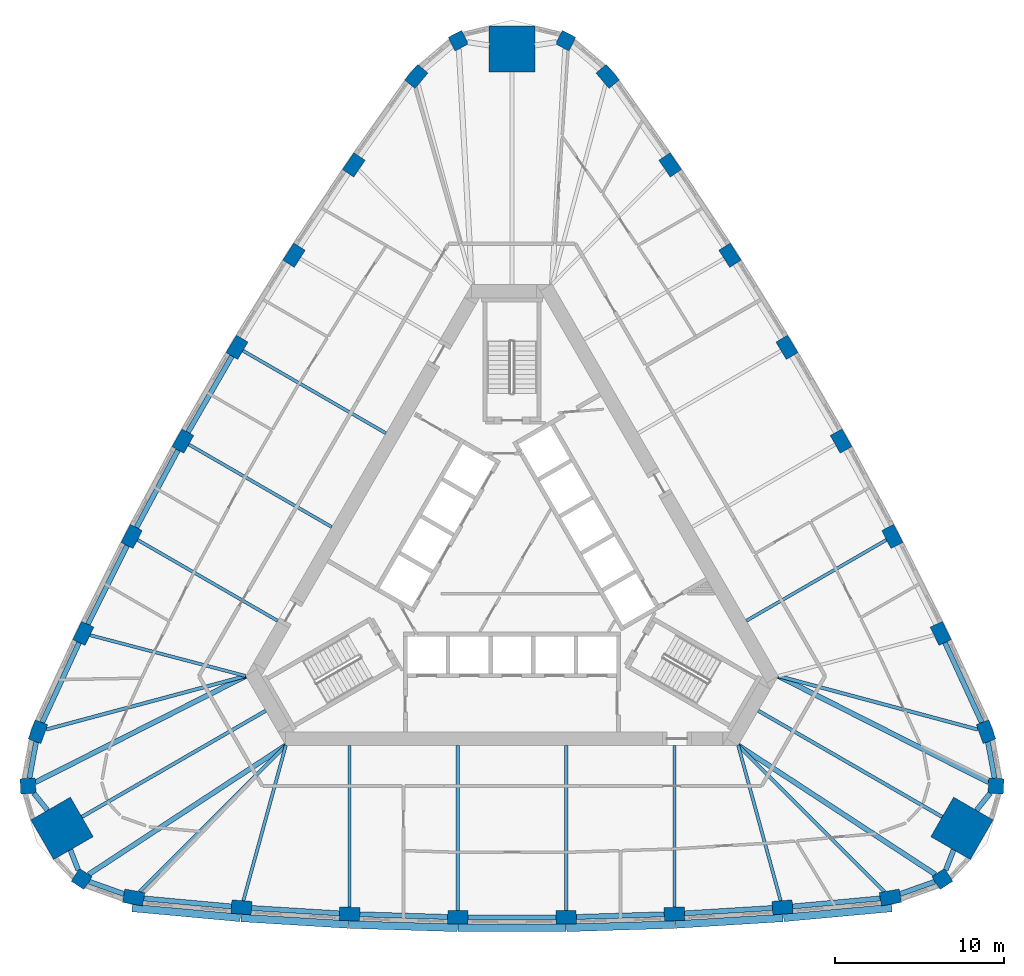
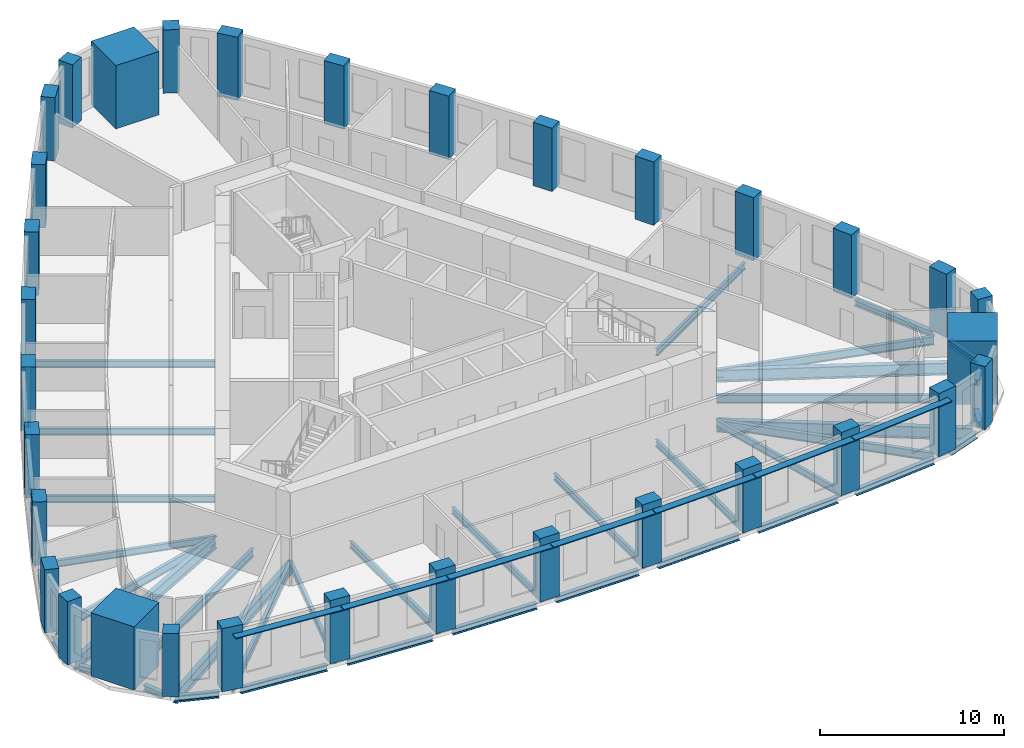
# One storey, part 1 of 11: 41 beams, 33 columns, 7 members.
"""IFC4 building model written with IfcOpenShell, lengths in metres."""

from ifc_helpers import new_model, si_unit, direction, frame, origin, origin_2d, place, context, subcontext, project, spatial, rectangle, i_section, extrude, material, material_profile, profile_set, type_object, element, save


model = new_model("IFC4")

# Units and contexts
model_context = context("Model", 3, precision=1e-05, world=origin(), true_north=direction((0.0, 1.0)))
body_context = subcontext(model_context, "Body", "Model", "MODEL_VIEW")
ifc_project = project(units=[si_unit("LENGTHUNIT", "METRE"), si_unit("AREAUNIT", "SQUARE_METRE"), si_unit("VOLUMEUNIT", "CUBIC_METRE"), si_unit("PLANEANGLEUNIT", "RADIAN"), si_unit("MASSUNIT", "GRAM", prefix="KILO")], contexts=[model_context])

# Site, building, storey
site_placement = place(None, origin())
site = spatial("IfcSite", under=ifc_project, at=site_placement, CompositionType="ELEMENT")
building_placement = place(site_placement, origin())
building = spatial("IfcBuilding", under=site, at=building_placement, Name="Mestral Congress Tower", CompositionType="ELEMENT")
storey_placement = place(building_placement, frame((0.0, 0.0, 166.800048828125)))
storey = spatial("IfcBuildingStorey", under=building, at=storey_placement, Name="L39", CompositionType="ELEMENT", Elevation=166.800048828125)

# Columns
ifc_material_1 = material(Name="Concrete C60/75", Category="concrete")
ifc_material_profile_1 = material_profile(ifc_material_1, rectangle(XDim=1.199951171875, YDim=0.800048828125, at=origin_2d()), Name="RC 1200x800")
ifc_profile_set_1 = profile_set([ifc_material_profile_1], Name="Concrete C60/75")
column_type_1 = type_object("IfcColumnType", Name="Column RC 1200x800 C60/75", PredefinedType="COLUMN", material=ifc_profile_set_1)
for number, where, z_axis, x_axis, name in (
    (1, (-22.357421875, -19.437255859375, 0.0), (0.0, 0.0, 1.0), (0.984571054206, -0.17498525429, 0.0), "COL-L39-C3-S00"),
    (2, (-15.984619140625, -20.0224609375, 0.0), (0.0, 0.0, 1.0), (0.997089725995, -0.076236987842, 0.0), "COL-L39-C3-S01"),
    (3, (-9.5966796875, -20.412841796875, 0.0), (0.0, 0.0, 1.0), (0.998951959915, -0.045770970953, 0.0), "COL-L39-C3-S02"),
    (4, (-3.199951171875, -20.608154296875, 0.0), (0.0, 0.0, 1.0), (0.999883524137, -0.015262311717, 0.0), "COL-L39-C3-S03"),
    (5, (3.199951171875, -20.608154296875, 0.0), (0.0, 0.0, 1.0), (0.999883524137, 0.015262311717, 0.0), "COL-L39-C3-S04"),
    (6, (9.5966796875, -20.412841796875, 0.0), (0.0, 0.0, 1.0), (0.998951959915, 0.045770970953, 0.0), "COL-L39-C3-S05"),
    (7, (15.984619140625, -20.0224609375, 0.0), (0.0, 0.0, 1.0), (0.997089725995, 0.076236987842, 0.0), "COL-L39-C3-S06"),
    (8, (22.357421875, -19.437255859375, 0.0), (0.0, 0.0, 1.0), (0.984571054206, 0.17498525429, 0.0), "COL-L39-C3-S07"),
    (9, (28.01171875, -9.6435546875, 0.0), (0.0, 0.0, 1.0), (-0.340743851601, 0.940156171918, 0.0), "COL-L39-C3-E00"),
    (10, (25.332275390625, -3.831787109375, 0.0), (0.0, 0.0, 1.0), (-0.432521694818, 0.901623526485, 0.0), "COL-L39-C3-E01"),
    (11, (22.476318359375, 1.8955078125, 0.0), (0.0, 0.0, 1.0), (-0.459837156356, 0.888003259923, 0.0), "COL-L39-C3-E02"),
    (12, (19.447265625, 7.532958984375, 0.0), (0.0, 0.0, 1.0), (-0.486724212401, 0.873555688587, 0.0), "COL-L39-C3-E03"),
    (13, (16.247314453125, 13.0751953125, 0.0), (0.0, 0.0, 1.0), (-0.513159311736, 0.85829337687, 0.0), "COL-L39-C3-E04"),
    (14, (12.8798828125, 18.517333984375, 0.0), (0.0, 0.0, 1.0), (-0.539114803559, 0.84223228897, 0.0), "COL-L39-C3-E05"),
    (15, (9.34765625, 23.854248046875, 0.0), (0.0, 0.0, 1.0), (-0.564568031177, 0.825386538643, 0.0), "COL-L39-C3-E06"),
    (16, (5.654296875, 29.080810546875, 0.0), (0.0, 0.0, 1.0), (-0.643827202606, 0.765170917629, 0.0), "COL-L39-C3-E07"),
    (17, (-5.654296875, 29.080810546875, 0.0), (0.0, 0.0, 1.0), (-0.643827202606, -0.765170917629, 0.0), "COL-L39-C3-W00"),
    (18, (-9.34765625, 23.854248046875, 0.0), (0.0, 0.0, 1.0), (-0.564568031177, -0.825386538643, 0.0), "COL-L39-C3-W01"),
    (19, (-12.8798828125, 18.517333984375, 0.0), (0.0, 0.0, 1.0), (-0.539114803559, -0.84223228897, 0.0), "COL-L39-C3-W02"),
    (20, (-16.247314453125, 13.0751953125, 0.0), (0.0, 0.0, 1.0), (-0.513159311736, -0.85829337687, 0.0), "COL-L39-C3-W03"),
    (21, (-19.447265625, 7.532958984375, 0.0), (0.0, 0.0, 1.0), (-0.486724212401, -0.873555688587, 0.0), "COL-L39-C3-W04"),
    (22, (-22.476318359375, 1.8955078125, 0.0), (0.0, 0.0, 1.0), (-0.459837156356, -0.888003259923, 0.0), "COL-L39-C3-W05"),
    (23, (-25.332275390625, -3.831787109375, 0.0), (0.0, 0.0, 1.0), (-0.432521694818, -0.901623526485, 0.0), "COL-L39-C3-W06"),
    (24, (-28.01171875, -9.6435546875, 0.0), (0.0, 0.0, 1.0), (-0.340743851601, -0.940156171918, 0.0), "COL-L39-C3-W07"),
):
    element("IfcColumn", number, at=place(storey_placement, frame(where, z_axis=z_axis, x_axis=x_axis)), inside=storey, type_object=column_type_1, Name=name, PredefinedType="COLUMN", context=body_context, shape_type="SweptSolid", body=[
        extrude(rectangle(XDim=1.199951171875, YDim=0.800048828125, at=origin_2d()), origin(), (0.0, 0.0, 1.0), 4.199951171875),
    ])
ifc_material_profile_2 = material_profile(ifc_material_1, rectangle(XDim=0.89990234375, YDim=0.89990234375, at=origin_2d()), Name="RC 900x900")
ifc_profile_set_2 = profile_set([ifc_material_profile_2], Name="Concrete C60/75")
column_type_2 = type_object("IfcColumnType", Name="Column RC 900x900 C60/75", PredefinedType="COLUMN", material=ifc_profile_set_2)
for number, where, z_axis, x_axis, name in (
    (25, (25.4296875, -18.34375, 0.0), (0.0, 0.0, 1.0), (0.838094050847, 0.545525766518, 0.0), "COL-L39-C3-SE1"),
    (26, (28.60107421875, -12.850830078125, 0.0), (0.0, 0.0, 1.0), (0.0533921468, 0.998573622053, 0.0), "COL-L39-C3-SE3"),
    (27, (3.17138671875, 31.194580078125, 0.0), (0.0, 0.0, 1.0), (-0.891486197647, 0.453047855535, 0.0), "COL-L39-C3-N1"),
    (28, (-3.17138671875, 31.194580078125, 0.0), (0.0, 0.0, 1.0), (-0.891486197647, -0.453047855535, 0.0), "COL-L39-C3-N3"),
    (29, (-28.60107421875, -12.850830078125, 0.0), (0.0, 0.0, 1.0), (0.0533921468, -0.998573622053, 0.0), "COL-L39-C3-SW1"),
    (30, (-25.4296875, -18.34375, 0.0), (0.0, 0.0, 1.0), (0.838094050847, -0.545525766518, 0.0), "COL-L39-C3-SW3"),
):
    element("IfcColumn", number, at=place(storey_placement, frame(where, z_axis=z_axis, x_axis=x_axis)), inside=storey, type_object=column_type_2, Name=name, PredefinedType="COLUMN", context=body_context, shape_type="SweptSolid", body=[
        extrude(rectangle(XDim=0.89990234375, YDim=0.89990234375, at=origin_2d()), origin(), (0.0, 0.0, 1.0), 4.199951171875),
    ])
ifc_material_2 = material(Name="Concrete C70/85", Category="concrete")
ifc_material_profile_3 = material_profile(ifc_material_2, rectangle(XDim=2.699951171875, YDim=2.699951171875, at=origin_2d()), Name="RC 2700x2700")
ifc_profile_set_3 = profile_set([ifc_material_profile_3], Name="Concrete C70/85")
column_type_3 = type_object("IfcColumnType", Name="Mega column RC 2700x2700 C70/85", PredefinedType="COLUMN", material=ifc_profile_set_3)
for number, where, z_axis, x_axis, name in (
    (31, (26.590576171875, -15.35205078125, 0.0), (0.0, 0.0, 1.0), (0.866025403784, -0.5, 0.0), "COL-L39-PY3-SE"),
    (32, (0.0, 30.7041015625, 0.0), (0.0, 0.0, 1.0), (0.0, 1.0, 0.0), "COL-L39-PY3-N"),
    (33, (-26.590576171875, -15.35205078125, 0.0), (0.0, 0.0, 1.0), (-0.866025403784, -0.5, 0.0), "COL-L39-PY3-SW"),
):
    element("IfcColumn", number, at=place(storey_placement, frame(where, z_axis=z_axis, x_axis=x_axis)), inside=storey, type_object=column_type_3, Name=name, PredefinedType="COLUMN", context=body_context, shape_type="SweptSolid", body=[
        extrude(rectangle(XDim=2.699951171875, YDim=2.699951171875, at=origin_2d()), origin(), (0.0, 0.0, 1.0), 4.199951171875),
    ])

# Members
ifc_material_3 = material(Name="Glazed ceramic", Category="masonry")
ifc_material_profile_4 = material_profile(ifc_material_3, rectangle(XDim=0.449951171875, YDim=0.06005859375, at=origin_2d()), Name="Ceramic blade 450 x 60")
ifc_profile_set_4 = profile_set([ifc_material_profile_4], Name="Glazed ceramic")
member_type = type_object("IfcMemberType", Name="Facade sunshade blade 450 x 60", PredefinedType="USERDEFINED", material=ifc_profile_set_4)
member_1_placement = place(storey_placement, frame((-22.451171875, -20.05615234375, 3.679931640625), z_axis=(0.995809919347, -0.091447277326, 0.0), x_axis=(0.091447277326, 0.995809919347, 0.0)))
element("IfcMember", 34, at=member_1_placement, inside=storey, type_object=member_type, Name="Sunshade F0-00", ObjectType="SUNSHADE", PredefinedType="USERDEFINED", context=body_context, shape_type="SweptSolid", body=[
    extrude(rectangle(XDim=0.449951171875, YDim=0.06005859375, at=origin_2d()), origin(), (0.0, 0.0, 1.0), 6.42333984375),
])
member_2_placement = place(storey_placement, frame((-16.009521484375, -20.647216796875, 3.679931640625), z_axis=(0.998138940399, -0.06098078107, 0.0), x_axis=(0.06098078107, 0.998138940399, 0.0)))
element("IfcMember", 35, at=member_2_placement, inside=storey, type_object=member_type, Name="Sunshade F0-01", ObjectType="SUNSHADE", PredefinedType="USERDEFINED", context=body_context, shape_type="SweptSolid", body=[
    extrude(rectangle(XDim=0.449951171875, YDim=0.06005859375, at=origin_2d()), origin(), (0.0, 0.0, 1.0), 6.373779296875),
])
for number, where, z_axis, x_axis, name in (
    (36, (-9.6025390625, -21.0380859375, 3.679931640625), (0.999535044007, -0.03049091343, 0.0), (0.03049091343, 0.999535044007, 0.0), "Sunshade F0-02"),
    (37, (-3.186767578125, -21.233154296875, 3.679931640625), (1.0, 0.0, 0.0), (0.0, 1.0, 0.0), "Sunshade F0-03"),
    (38, (3.23193359375, -21.232421875, 3.679931640625), (0.999535044007, 0.03049091343, 0.0), (-0.03049091343, 0.999535044007, 0.0), "Sunshade F0-04"),
):
    element("IfcMember", number, at=place(storey_placement, frame(where, z_axis=z_axis, x_axis=x_axis)), inside=storey, type_object=member_type, Name=name, ObjectType="SUNSHADE", PredefinedType="USERDEFINED", context=body_context, shape_type="SweptSolid", body=[
        extrude(rectangle(XDim=0.449951171875, YDim=0.06005859375, at=origin_2d()), origin(), (0.0, 0.0, 1.0), 6.37353515625),
    ])
member_3_placement = place(storey_placement, frame((9.647705078125, -21.035888671875, 3.679931640625), z_axis=(0.998138940399, 0.06098078107, 0.0), x_axis=(-0.06098078107, 0.998138940399, 0.0)))
element("IfcMember", 39, at=member_3_placement, inside=storey, type_object=member_type, Name="Sunshade F0-05", ObjectType="SUNSHADE", PredefinedType="USERDEFINED", context=body_context, shape_type="SweptSolid", body=[
    extrude(rectangle(XDim=0.449951171875, YDim=0.06005859375, at=origin_2d()), origin(), (0.0, 0.0, 1.0), 6.373779296875),
])
member_4_placement = place(storey_placement, frame((16.0546875, -20.6435546875, 3.679931640625), z_axis=(0.995809919347, 0.091447277326, 0.0), x_axis=(-0.091447277326, 0.995809919347, 0.0)))
element("IfcMember", 40, at=member_4_placement, inside=storey, type_object=member_type, Name="Sunshade F0-06", ObjectType="SUNSHADE", PredefinedType="USERDEFINED", context=body_context, shape_type="SweptSolid", body=[
    extrude(rectangle(XDim=0.449951171875, YDim=0.06005859375, at=origin_2d()), origin(), (0.0, 0.0, 1.0), 6.42333984375),
])

# Beams
ifc_material_4 = material(Name="Steel S355", Category="steel")
ifc_material_profile_5 = material_profile(ifc_material_4, i_section(OverallWidth=0.300048828125, OverallDepth=0.800048828125, WebThickness=0.017578125, FlangeThickness=0.032958984375, FilletRadius=0.030029296875, at=origin_2d()), Name="HEB 800")
ifc_profile_set_5 = profile_set([ifc_material_profile_5], Name="Steel S355")
beam_type_1 = type_object("IfcBeamType", Name="Floor beam HEB 800 S355", PredefinedType="BEAM", material=ifc_profile_set_5)
beam_1_placement = place(storey_placement, frame((25.018310546875, -18.07470703125, -0.650146484375), z_axis=(-0.836780237492, 0.547538888247, 0.0), x_axis=(-0.547538888247, -0.836780237492, 0.0)))
element("IfcBeam", 41, at=beam_1_placement, inside=storey, type_object=beam_type_1, Name="BM-L39-RB3-SE1", PredefinedType="BEAM", context=body_context, shape_type="SweptSolid", body=[
    extrude(i_section(OverallWidth=0.300048828125, OverallDepth=0.800048828125, WebThickness=0.017578125, FlangeThickness=0.032958984375, FilletRadius=0.030029296875, at=origin_2d()), origin(), (0.0, 0.0, 1.0), 13.925537109375),
])
for number, where, z_axis, x_axis, name in (
    (42, (28.162109375, -12.629150390625, -0.650146484375), (-0.892568118133, 0.450912579656, 0.0), (-0.450912579656, -0.892568118133, 0.0), "BM-L39-RB3-SE3"),
    (43, (-28.162109375, -12.629150390625, -0.650146484375), (0.892568118133, 0.450912579656, 0.0), (-0.450912579656, 0.892568118133, 0.0), "BM-L39-RB3-SW1"),
):
    element("IfcBeam", number, at=place(storey_placement, frame(where, z_axis=z_axis, x_axis=x_axis)), inside=storey, type_object=beam_type_1, Name=name, PredefinedType="BEAM", context=body_context, shape_type="SweptSolid", body=[
        extrude(i_section(OverallWidth=0.300048828125, OverallDepth=0.800048828125, WebThickness=0.017578125, FlangeThickness=0.032958984375, FilletRadius=0.030029296875, at=origin_2d()), origin(), (0.0, 0.0, 1.0), 13.92529296875),
    ])
beam_2_placement = place(storey_placement, frame((-25.018310546875, -18.07470703125, -0.650146484375), z_axis=(0.836780237492, 0.547538888247, 0.0), x_axis=(-0.547538888247, 0.836780237492, 0.0)))
element("IfcBeam", 44, at=beam_2_placement, inside=storey, type_object=beam_type_1, Name="BM-L39-RB3-SW3", PredefinedType="BEAM", context=body_context, shape_type="SweptSolid", body=[
    extrude(i_section(OverallWidth=0.300048828125, OverallDepth=0.800048828125, WebThickness=0.017578125, FlangeThickness=0.032958984375, FilletRadius=0.030029296875, at=origin_2d()), origin(), (0.0, 0.0, 1.0), 13.925537109375),
])
ifc_material_profile_6 = material_profile(ifc_material_4, i_section(OverallWidth=0.18994140625, OverallDepth=0.449951171875, WebThickness=0.009521484375, FlangeThickness=0.0146484375, FilletRadius=0.02099609375, at=origin_2d()), Name="IPE 450")
ifc_profile_set_6 = profile_set([ifc_material_profile_6], Name="Steel S355")
beam_type_2 = type_object("IfcBeamType", Name="Floor beam IPE 450 S355", PredefinedType="BEAM", material=ifc_profile_set_6)
beam_3_placement = place(storey_placement, frame((-15.876953125, -19.62939453125, -0.47509765625), z_axis=(0.263874900873, 0.964556912105, 0.0), x_axis=(-0.964556912105, 0.263874900873, 0.0)))
element("IfcBeam", 45, at=beam_3_placement, inside=storey, type_object=beam_type_2, Name="BM-L39-RB3-S01", PredefinedType="BEAM", context=body_context, shape_type="SweptSolid", body=[
    extrude(i_section(OverallWidth=0.18994140625, OverallDepth=0.449951171875, WebThickness=0.009521484375, FlangeThickness=0.0146484375, FilletRadius=0.02099609375, at=origin_2d()), origin(), (0.0, 0.0, 1.0), 9.516845703125),
])
beam_4_placement = place(storey_placement, frame((-9.5966796875, -20.012451171875, -0.47509765625), z_axis=(0.0, 1.0, 0.0), x_axis=(-1.0, 0.0, 0.0)))
element("IfcBeam", 46, at=beam_4_placement, inside=storey, type_object=beam_type_2, Name="BM-L39-RB3-S02", PredefinedType="BEAM", context=body_context, shape_type="SweptSolid", body=[
    extrude(i_section(OverallWidth=0.18994140625, OverallDepth=0.449951171875, WebThickness=0.009521484375, FlangeThickness=0.0146484375, FilletRadius=0.02099609375, at=origin_2d()), origin(), (0.0, 0.0, 1.0), 9.5625),
])
for number, where, z_axis, x_axis, name in (
    (47, (-3.199951171875, -20.208251953125, -0.47509765625), (0.0, 1.0, 0.0), (-1.0, 0.0, 0.0), "BM-L39-RB3-S03"),
    (48, (3.199951171875, -20.208251953125, -0.47509765625), (0.0, 1.0, 0.0), (-1.0, 0.0, 0.0), "BM-L39-RB3-S04"),
):
    element("IfcBeam", number, at=place(storey_placement, frame(where, z_axis=z_axis, x_axis=x_axis)), inside=storey, type_object=beam_type_2, Name=name, PredefinedType="BEAM", context=body_context, shape_type="SweptSolid", body=[
        extrude(i_section(OverallWidth=0.18994140625, OverallDepth=0.449951171875, WebThickness=0.009521484375, FlangeThickness=0.0146484375, FilletRadius=0.02099609375, at=origin_2d()), origin(), (0.0, 0.0, 1.0), 9.75830078125),
    ])
beam_5_placement = place(storey_placement, frame((9.5966796875, -20.012451171875, -0.47509765625), z_axis=(0.0, 1.0, 0.0), x_axis=(-1.0, 0.0, 0.0)))
element("IfcBeam", 49, at=beam_5_placement, inside=storey, type_object=beam_type_2, Name="BM-L39-RB3-S05", PredefinedType="BEAM", context=body_context, shape_type="SweptSolid", body=[
    extrude(i_section(OverallWidth=0.18994140625, OverallDepth=0.449951171875, WebThickness=0.009521484375, FlangeThickness=0.0146484375, FilletRadius=0.02099609375, at=origin_2d()), origin(), (0.0, 0.0, 1.0), 9.5625),
])
beam_6_placement = place(storey_placement, frame((15.876953125, -19.62939453125, -0.47509765625), z_axis=(-0.263874900873, 0.964556912105, 0.0), x_axis=(-0.964556912105, -0.263874900873, 0.0)))
element("IfcBeam", 50, at=beam_6_placement, inside=storey, type_object=beam_type_2, Name="BM-L39-RB3-S06", PredefinedType="BEAM", context=body_context, shape_type="SweptSolid", body=[
    extrude(i_section(OverallWidth=0.18994140625, OverallDepth=0.449951171875, WebThickness=0.009521484375, FlangeThickness=0.0146484375, FilletRadius=0.02099609375, at=origin_2d()), origin(), (0.0, 0.0, 1.0), 9.516845703125),
])
beam_7_placement = place(storey_placement, frame((22.129638671875, 1.6953125, -0.47509765625), z_axis=(-0.866022320763, -0.500005339912, 0.0), x_axis=(0.500005339912, -0.866022320763, 0.0)))
element("IfcBeam", 51, at=beam_7_placement, inside=storey, type_object=beam_type_2, Name="BM-L39-RB3-E02", PredefinedType="BEAM", context=body_context, shape_type="SweptSolid", body=[
    extrude(i_section(OverallWidth=0.18994140625, OverallDepth=0.449951171875, WebThickness=0.009521484375, FlangeThickness=0.0146484375, FilletRadius=0.02099609375, at=origin_2d()), origin(), (0.0, 0.0, 1.0), 9.5625),
])
beam_8_placement = place(storey_placement, frame((-15.90087890625, 12.875244140625, -0.47509765625), z_axis=(0.866025182435, -0.500000383388, 0.0), x_axis=(0.500000383388, 0.866025182435, 0.0)))
element("IfcBeam", 52, at=beam_8_placement, inside=storey, type_object=beam_type_2, Name="BM-L39-RB3-W03", PredefinedType="BEAM", context=body_context, shape_type="SweptSolid", body=[
    extrude(i_section(OverallWidth=0.18994140625, OverallDepth=0.449951171875, WebThickness=0.009521484375, FlangeThickness=0.0146484375, FilletRadius=0.02099609375, at=origin_2d()), origin(), (0.0, 0.0, 1.0), 9.75830078125),
])
beam_9_placement = place(storey_placement, frame((-19.100830078125, 7.332763671875, -0.47509765625), z_axis=(0.866036015824, -0.499981618958, 0.0), x_axis=(0.499981618958, 0.866036015824, 0.0)))
element("IfcBeam", 53, at=beam_9_placement, inside=storey, type_object=beam_type_2, Name="BM-L39-RB3-W04", PredefinedType="BEAM", context=body_context, shape_type="SweptSolid", body=[
    extrude(i_section(OverallWidth=0.18994140625, OverallDepth=0.449951171875, WebThickness=0.009521484375, FlangeThickness=0.0146484375, FilletRadius=0.02099609375, at=origin_2d()), origin(), (0.0, 0.0, 1.0), 9.758056640625),
])
beam_10_placement = place(storey_placement, frame((-22.129638671875, 1.6953125, -0.47509765625), z_axis=(0.866022320763, -0.500005339912, 0.0), x_axis=(0.500005339912, 0.866022320763, 0.0)))
element("IfcBeam", 54, at=beam_10_placement, inside=storey, type_object=beam_type_2, Name="BM-L39-RB3-W05", PredefinedType="BEAM", context=body_context, shape_type="SweptSolid", body=[
    extrude(i_section(OverallWidth=0.18994140625, OverallDepth=0.449951171875, WebThickness=0.009521484375, FlangeThickness=0.0146484375, FilletRadius=0.02099609375, at=origin_2d()), origin(), (0.0, 0.0, 1.0), 9.5625),
])
beam_11_placement = place(storey_placement, frame((-24.938232421875, -3.93505859375, -0.47509765625), z_axis=(0.967265999603, -0.253764627187, 0.0), x_axis=(0.253764627187, 0.967265999603, 0.0)))
element("IfcBeam", 55, at=beam_11_placement, inside=storey, type_object=beam_type_2, Name="BM-L39-RB3-W06", PredefinedType="BEAM", context=body_context, shape_type="SweptSolid", body=[
    extrude(i_section(OverallWidth=0.18994140625, OverallDepth=0.449951171875, WebThickness=0.009521484375, FlangeThickness=0.0146484375, FilletRadius=0.02099609375, at=origin_2d()), origin(), (0.0, 0.0, 1.0), 9.516845703125),
])
ifc_material_profile_7 = material_profile(ifc_material_4, i_section(OverallWidth=0.2099609375, OverallDepth=0.550048828125, WebThickness=0.010986328125, FlangeThickness=0.01708984375, FilletRadius=0.02392578125, at=origin_2d()), Name="IPE 550")
ifc_profile_set_7 = profile_set([ifc_material_profile_7], Name="Steel S355")
beam_type_3 = type_object("IfcBeamType", Name="Floor beam IPE 550 S355", PredefinedType="BEAM", material=ifc_profile_set_7)
for number, where, z_axis, x_axis, name in (
    (56, (-22.01220703125, -19.09228515625, -0.525146484375), (0.707276510369, 0.706937011254, 0.0), (-0.706937011254, 0.707276510369, 0.0), "BM-L39-RB3-S00"),
    (57, (22.01220703125, -19.09228515625, -0.525146484375), (-0.707276510369, 0.706937011254, 0.0), (-0.706937011254, -0.707276510369, 0.0), "BM-L39-RB3-S07"),
):
    element("IfcBeam", number, at=place(storey_placement, frame(where, z_axis=z_axis, x_axis=x_axis)), inside=storey, type_object=beam_type_3, Name=name, PredefinedType="BEAM", context=body_context, shape_type="SweptSolid", body=[
        extrude(i_section(OverallWidth=0.2099609375, OverallDepth=0.550048828125, WebThickness=0.010986328125, FlangeThickness=0.01708984375, FilletRadius=0.02392578125, at=origin_2d()), origin(), (0.0, 0.0, 1.0), 12.22509765625),
    ])
beam_12_placement = place(storey_placement, frame((25.42138671875, -14.677001953125, -0.525146484375), z_axis=(-0.866034999462, 0.49998337943, 0.0), x_axis=(-0.49998337943, -0.866034999462, 0.0)))
element("IfcBeam", 58, at=beam_12_placement, inside=storey, type_object=beam_type_3, Name="BM-L39-RB3-SE", PredefinedType="BEAM", context=body_context, shape_type="SweptSolid", body=[
    extrude(i_section(OverallWidth=0.2099609375, OverallDepth=0.550048828125, WebThickness=0.010986328125, FlangeThickness=0.01708984375, FilletRadius=0.02392578125, at=origin_2d()), origin(), (0.0, 0.0, 1.0), 12.55419921875),
])
for number, where, z_axis, x_axis, name in (
    (59, (27.54052734375, -9.51708984375, -0.525146484375), (-0.965861364708, 0.259059499276, 0.0), (-0.259059499276, -0.965861364708, 0.0), "BM-L39-RB3-E00"),
    (60, (-27.54052734375, -9.51708984375, -0.525146484375), (0.965861364708, 0.259059499276, 0.0), (-0.259059499276, 0.965861364708, 0.0), "BM-L39-RB3-W07"),
):
    element("IfcBeam", number, at=place(storey_placement, frame(where, z_axis=z_axis, x_axis=x_axis)), inside=storey, type_object=beam_type_3, Name=name, PredefinedType="BEAM", context=body_context, shape_type="SweptSolid", body=[
        extrude(i_section(OverallWidth=0.2099609375, OverallDepth=0.550048828125, WebThickness=0.010986328125, FlangeThickness=0.01708984375, FilletRadius=0.02392578125, at=origin_2d()), origin(), (0.0, 0.0, 1.0), 12.224853515625),
    ])
beam_13_placement = place(storey_placement, frame((-25.42138671875, -14.677001953125, -0.525146484375), z_axis=(0.866034999462, 0.49998337943, 0.0), x_axis=(-0.49998337943, 0.866034999462, 0.0)))
element("IfcBeam", 61, at=beam_13_placement, inside=storey, type_object=beam_type_3, Name="BM-L39-RB3-SW", PredefinedType="BEAM", context=body_context, shape_type="SweptSolid", body=[
    extrude(i_section(OverallWidth=0.2099609375, OverallDepth=0.550048828125, WebThickness=0.010986328125, FlangeThickness=0.01708984375, FilletRadius=0.02392578125, at=origin_2d()), origin(), (0.0, 0.0, 1.0), 12.55419921875),
])
ifc_material_profile_8 = material_profile(ifc_material_4, i_section(OverallWidth=0.300048828125, OverallDepth=0.389892578125, WebThickness=0.010986328125, FlangeThickness=0.01904296875, FilletRadius=0.027099609375, at=origin_2d()), Name="HEA 400")
ifc_profile_set_8 = profile_set([ifc_material_profile_8], Name="Steel S355")
beam_type_4 = type_object("IfcBeamType", Name="Spandrel beam HEA 400 S355", PredefinedType="BEAM", material=ifc_profile_set_8)
beam_14_placement = place(storey_placement, frame((-21.7578125, -19.4921875, -0.445068359375), z_axis=(0.995809233617, -0.091454744238, 0.0), x_axis=(0.091454744238, 0.995809233617, 0.0)))
element("IfcBeam", 62, at=beam_14_placement, inside=storey, type_object=beam_type_4, Name="SP-L39-SB3-S00", PredefinedType="BEAM", context=body_context, shape_type="SweptSolid", body=[
    extrude(i_section(OverallWidth=0.300048828125, OverallDepth=0.389892578125, WebThickness=0.010986328125, FlangeThickness=0.01904296875, FilletRadius=0.027099609375, at=origin_2d()), origin(), (0.0, 0.0, 1.0), 5.197509765625),
])
beam_15_placement = place(storey_placement, frame((-15.385498046875, -20.05908203125, -0.445068359375), z_axis=(0.998138215809, -0.060992640057, 0.0), x_axis=(0.060992640057, 0.998138215809, 0.0)))
element("IfcBeam", 63, at=beam_15_placement, inside=storey, type_object=beam_type_4, Name="SP-L39-SB3-S01", PredefinedType="BEAM", context=body_context, shape_type="SweptSolid", body=[
    extrude(i_section(OverallWidth=0.300048828125, OverallDepth=0.389892578125, WebThickness=0.010986328125, FlangeThickness=0.01904296875, FilletRadius=0.027099609375, at=origin_2d()), origin(), (0.0, 0.0, 1.0), 5.19970703125),
])
beam_16_placement = place(storey_placement, frame((-8.996826171875, -20.43115234375, -0.445068359375), z_axis=(0.999534130554, -0.030520842996, 0.0), x_axis=(0.030520842996, 0.999534130554, 0.0)))
element("IfcBeam", 64, at=beam_16_placement, inside=storey, type_object=beam_type_4, Name="SP-L39-SB3-S02", PredefinedType="BEAM", context=body_context, shape_type="SweptSolid", body=[
    extrude(i_section(OverallWidth=0.300048828125, OverallDepth=0.389892578125, WebThickness=0.010986328125, FlangeThickness=0.01904296875, FilletRadius=0.027099609375, at=origin_2d()), origin(), (0.0, 0.0, 1.0), 5.199462890625),
])
beam_17_placement = place(storey_placement, frame((-2.599853515625, -20.608154296875, -0.445068359375), z_axis=(1.0, 0.0, 0.0), x_axis=(0.0, 1.0, 0.0)))
element("IfcBeam", 65, at=beam_17_placement, inside=storey, type_object=beam_type_4, Name="SP-L39-SB3-S03", PredefinedType="BEAM", context=body_context, shape_type="SweptSolid", body=[
    extrude(i_section(OverallWidth=0.300048828125, OverallDepth=0.389892578125, WebThickness=0.010986328125, FlangeThickness=0.01904296875, FilletRadius=0.027099609375, at=origin_2d()), origin(), (0.0, 0.0, 1.0), 5.19970703125),
])
beam_18_placement = place(storey_placement, frame((3.7998046875, -20.58984375, -0.445068359375), z_axis=(0.999534130554, 0.030520842996, 0.0), x_axis=(-0.030520842996, 0.999534130554, 0.0)))
element("IfcBeam", 66, at=beam_18_placement, inside=storey, type_object=beam_type_4, Name="SP-L39-SB3-S04", PredefinedType="BEAM", context=body_context, shape_type="SweptSolid", body=[
    extrude(i_section(OverallWidth=0.300048828125, OverallDepth=0.389892578125, WebThickness=0.010986328125, FlangeThickness=0.01904296875, FilletRadius=0.027099609375, at=origin_2d()), origin(), (0.0, 0.0, 1.0), 5.199462890625),
])
beam_19_placement = place(storey_placement, frame((10.195556640625, -20.376220703125, -0.445068359375), z_axis=(0.998138215809, 0.060992640057, 0.0), x_axis=(-0.060992640057, 0.998138215809, 0.0)))
element("IfcBeam", 67, at=beam_19_placement, inside=storey, type_object=beam_type_4, Name="SP-L39-SB3-S05", PredefinedType="BEAM", context=body_context, shape_type="SweptSolid", body=[
    extrude(i_section(OverallWidth=0.300048828125, OverallDepth=0.389892578125, WebThickness=0.010986328125, FlangeThickness=0.01904296875, FilletRadius=0.027099609375, at=origin_2d()), origin(), (0.0, 0.0, 1.0), 5.19970703125),
])
beam_20_placement = place(storey_placement, frame((16.58203125, -19.967529296875, -0.445068359375), z_axis=(0.995809233617, 0.091454744238, 0.0), x_axis=(-0.091454744238, 0.995809233617, 0.0)))
element("IfcBeam", 68, at=beam_20_placement, inside=storey, type_object=beam_type_4, Name="SP-L39-SB3-S06", PredefinedType="BEAM", context=body_context, shape_type="SweptSolid", body=[
    extrude(i_section(OverallWidth=0.300048828125, OverallDepth=0.389892578125, WebThickness=0.010986328125, FlangeThickness=0.01904296875, FilletRadius=0.027099609375, at=origin_2d()), origin(), (0.0, 0.0, 1.0), 5.197509765625),
])
beam_21_placement = place(storey_placement, frame((22.9306640625, -19.233154296875, -0.445068359375), z_axis=(0.942124718118, 0.33526260679, 0.0), x_axis=(-0.33526260679, 0.942124718118, 0.0)))
element("IfcBeam", 69, at=beam_21_placement, inside=storey, type_object=beam_type_4, Name="SP-L39-SB3-S07", PredefinedType="BEAM", context=body_context, shape_type="SweptSolid", body=[
    extrude(i_section(OverallWidth=0.300048828125, OverallDepth=0.389892578125, WebThickness=0.010986328125, FlangeThickness=0.01904296875, FilletRadius=0.027099609375, at=origin_2d()), origin(), (0.0, 0.0, 1.0), 2.189697265625),
])
for number, where, z_axis, x_axis, name in (
    (70, (25.630126953125, -17.826904296875, -0.445068359375), (0.361897583915, 0.932217860136, 0.0), (-0.932217860136, 0.361897583915, 0.0), "SP-L39-SB3-SE1"),
    (71, (27.446533203125, -14.287353515625, -0.445068359375), (0.626403443736, 0.779499022242, 0.0), (-0.779499022242, 0.626403443736, 0.0), "SP-L39-SB3-SE"),
):
    element("IfcBeam", number, at=place(storey_placement, frame(where, z_axis=z_axis, x_axis=x_axis)), inside=storey, type_object=beam_type_4, Name=name, PredefinedType="BEAM", context=body_context, shape_type="SweptSolid", body=[
        extrude(i_section(OverallWidth=0.300048828125, OverallDepth=0.389892578125, WebThickness=0.010986328125, FlangeThickness=0.01904296875, FilletRadius=0.027099609375, at=origin_2d()), origin(), (0.0, 0.0, 1.0), 1.28857421875),
    ])
beam_22_placement = place(storey_placement, frame((28.517333984375, -12.395751953125, -0.445068359375), z_axis=(-0.18061190167, 0.983554442304, 0.0), x_axis=(-0.983554442304, -0.18061190167, 0.0)))
element("IfcBeam", 72, at=beam_22_placement, inside=storey, type_object=beam_type_4, Name="SP-L39-SB3-SE3", PredefinedType="BEAM", context=body_context, shape_type="SweptSolid", body=[
    extrude(i_section(OverallWidth=0.300048828125, OverallDepth=0.389892578125, WebThickness=0.010986328125, FlangeThickness=0.01904296875, FilletRadius=0.027099609375, at=origin_2d()), origin(), (0.0, 0.0, 1.0), 2.18994140625),
])
beam_23_placement = place(storey_placement, frame((27.759765625, -9.0966796875, -0.445068359375), z_axis=(-0.418712613032, 0.908118796022, 0.0), x_axis=(-0.908118796022, -0.418712613032, 0.0)))
element("IfcBeam", 73, at=beam_23_placement, inside=storey, type_object=beam_type_4, Name="SP-L39-SB3-E00", PredefinedType="BEAM", context=body_context, shape_type="SweptSolid", body=[
    extrude(i_section(OverallWidth=0.300048828125, OverallDepth=0.389892578125, WebThickness=0.010986328125, FlangeThickness=0.01904296875, FilletRadius=0.027099609375, at=origin_2d()), origin(), (0.0, 0.0, 1.0), 5.197509765625),
])
for number, where, z_axis, x_axis, name in (
    (74, (-16.54736328125, 12.5556640625, -0.445068359375), (-0.499992051641, -0.866029992723, 0.0), (0.866029992723, -0.499992051641, 0.0), "SP-L39-SB3-W03"),
    (75, (-19.731201171875, 7.00439453125, -0.445068359375), (-0.473332458078, -0.880883865291, 0.0), (0.880883865291, -0.473332458078, 0.0), "SP-L39-SB3-W04"),
):
    element("IfcBeam", number, at=place(storey_placement, frame(where, z_axis=z_axis, x_axis=x_axis)), inside=storey, type_object=beam_type_4, Name=name, PredefinedType="BEAM", context=body_context, shape_type="SweptSolid", body=[
        extrude(i_section(OverallWidth=0.300048828125, OverallDepth=0.389892578125, WebThickness=0.010986328125, FlangeThickness=0.01904296875, FilletRadius=0.027099609375, at=origin_2d()), origin(), (0.0, 0.0, 1.0), 5.19970703125),
    ])
beam_24_placement = place(storey_placement, frame((-22.744140625, 1.3583984375, -0.445068359375), z_axis=(-0.446255467462, -0.894905613884, 0.0), x_axis=(0.894905613884, -0.446255467462, 0.0)))
element("IfcBeam", 76, at=beam_24_placement, inside=storey, type_object=beam_type_4, Name="SP-L39-SB3-W05", PredefinedType="BEAM", context=body_context, shape_type="SweptSolid", body=[
    extrude(i_section(OverallWidth=0.300048828125, OverallDepth=0.389892578125, WebThickness=0.010986328125, FlangeThickness=0.01904296875, FilletRadius=0.027099609375, at=origin_2d()), origin(), (0.0, 0.0, 1.0), 5.199462890625),
])
beam_25_placement = place(storey_placement, frame((-25.58349609375, -4.376708984375, -0.445068359375), z_axis=(-0.418712613032, -0.908118796022, 0.0), x_axis=(0.908118796022, -0.418712613032, 0.0)))
element("IfcBeam", 77, at=beam_25_placement, inside=storey, type_object=beam_type_4, Name="SP-L39-SB3-W06", PredefinedType="BEAM", context=body_context, shape_type="SweptSolid", body=[
    extrude(i_section(OverallWidth=0.300048828125, OverallDepth=0.389892578125, WebThickness=0.010986328125, FlangeThickness=0.01904296875, FilletRadius=0.027099609375, at=origin_2d()), origin(), (0.0, 0.0, 1.0), 5.197509765625),
])
beam_26_placement = place(storey_placement, frame((-28.121826171875, -10.241943359375, -0.445068359375), z_axis=(-0.18061190167, -0.983554442304, 0.0), x_axis=(0.983554442304, -0.18061190167, 0.0)))
element("IfcBeam", 78, at=beam_26_placement, inside=storey, type_object=beam_type_4, Name="SP-L39-SB3-W07", PredefinedType="BEAM", context=body_context, shape_type="SweptSolid", body=[
    extrude(i_section(OverallWidth=0.300048828125, OverallDepth=0.389892578125, WebThickness=0.010986328125, FlangeThickness=0.01904296875, FilletRadius=0.027099609375, at=origin_2d()), origin(), (0.0, 0.0, 1.0), 2.18994140625),
])
for number, where, z_axis, x_axis, name in (
    (79, (-28.253662109375, -13.282958984375, -0.445068359375), (0.626403443736, -0.779499022242, 0.0), (0.779499022242, 0.626403443736, 0.0), "SP-L39-SB3-SW1"),
    (80, (-26.096435546875, -16.625732421875, -0.445068359375), (0.361897583915, -0.932217860136, 0.0), (0.932217860136, 0.361897583915, 0.0), "SP-L39-SB3-SW"),
):
    element("IfcBeam", number, at=place(storey_placement, frame(where, z_axis=z_axis, x_axis=x_axis)), inside=storey, type_object=beam_type_4, Name=name, PredefinedType="BEAM", context=body_context, shape_type="SweptSolid", body=[
        extrude(i_section(OverallWidth=0.300048828125, OverallDepth=0.389892578125, WebThickness=0.010986328125, FlangeThickness=0.01904296875, FilletRadius=0.027099609375, at=origin_2d()), origin(), (0.0, 0.0, 1.0), 1.28857421875),
    ])
beam_27_placement = place(storey_placement, frame((-24.99365234375, -18.4990234375, -0.445068359375), z_axis=(0.942124718118, -0.33526260679, 0.0), x_axis=(0.33526260679, 0.942124718118, 0.0)))
element("IfcBeam", 81, at=beam_27_placement, inside=storey, type_object=beam_type_4, Name="SP-L39-SB3-SW3", PredefinedType="BEAM", context=body_context, shape_type="SweptSolid", body=[
    extrude(i_section(OverallWidth=0.300048828125, OverallDepth=0.389892578125, WebThickness=0.010986328125, FlangeThickness=0.01904296875, FilletRadius=0.027099609375, at=origin_2d()), origin(), (0.0, 0.0, 1.0), 2.189697265625),
])

save(model, "model.ifc")
